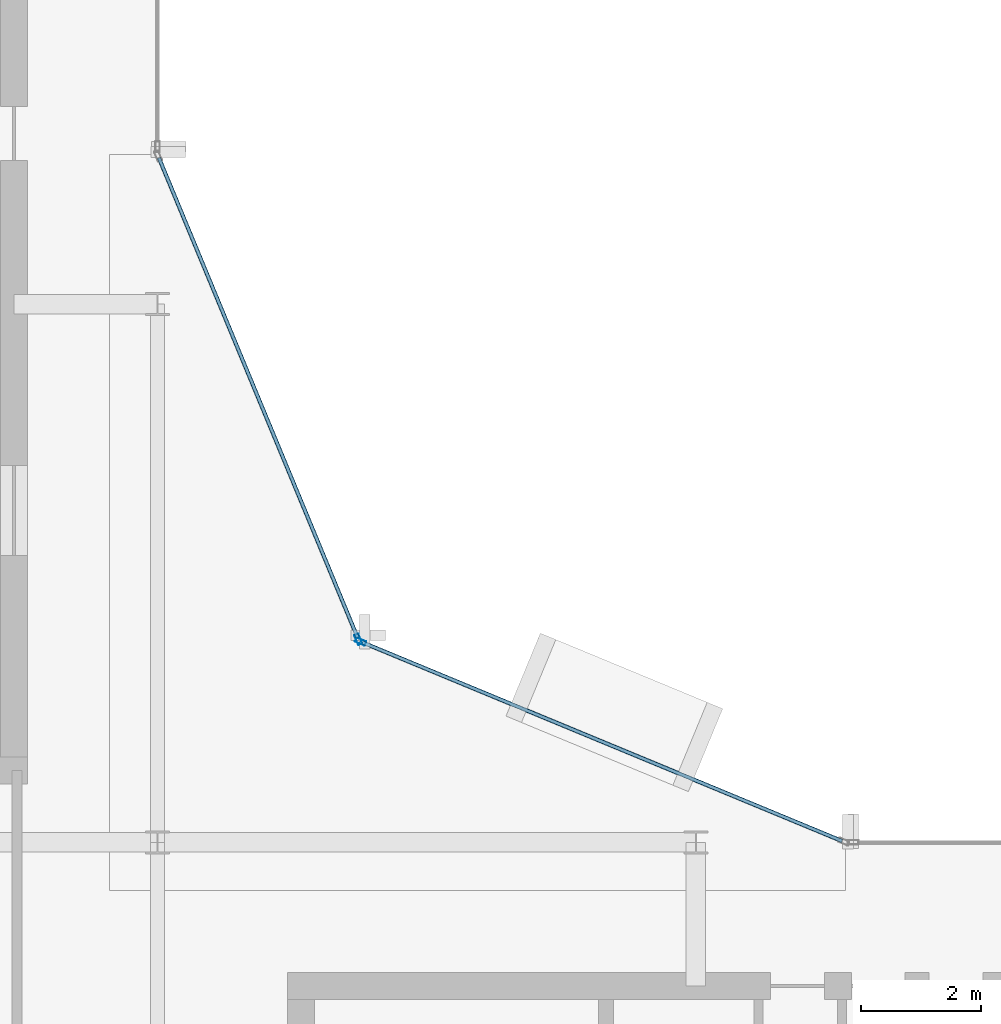
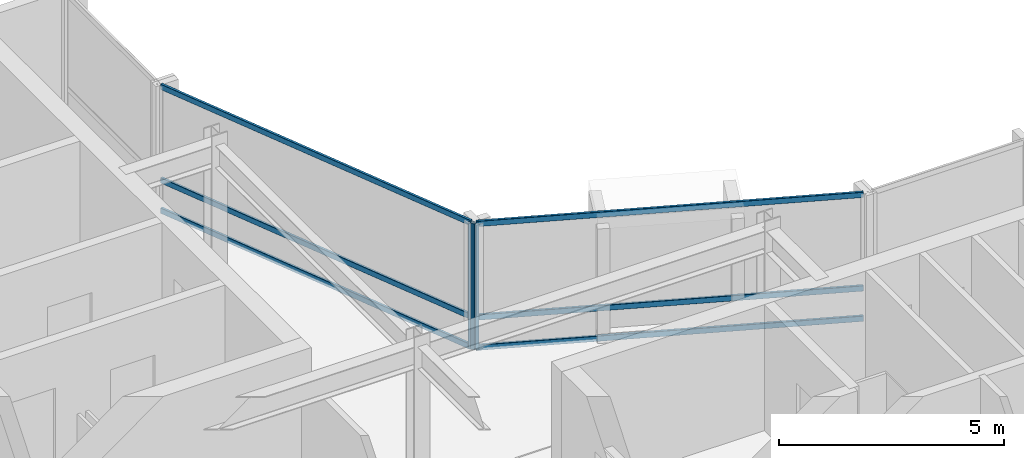
# One storey, part 8 of 19: 8 members, 2 elements without a shape of their own.
"""IFC4 building model written with IfcOpenShell, lengths in metres."""

import ifcopenshell
import ifcopenshell.guid

model = None  # the IFC model being written
_history = None  # IfcOwnerHistory: only IFC2X3 demands one
_inside = {}  # id of a spatial element -> (the spatial element, [elements in it])
_under = {}  # id of a project, library or spatial element -> (it, [spatial elements below it])
_declared = {}  # id of a project -> (the project, [libraries it declares])
_typed = {}  # id of a type object -> (the type object, [elements of that type])
_made_of = {}  # id of a material, layer set ... -> (it, [elements and type objects made of it])


def new_model(schema):
    """Start an empty IFC model of exactly this schema.

    Asked for "IFC4X3", IfcOpenShell would pick the latest addendum, in which some entities
    have other attributes; the version numbers below select the first issue.
    IFC2X3 requires an IfcOwnerHistory on every rooted entity: one is made here for all.
    """
    global model, _history
    if schema == "IFC4X3":
        model = ifcopenshell.file(schema_version=(4, 3, 0, 0))
    else:
        model = ifcopenshell.file(schema=schema)
    _inside.clear()
    _under.clear()
    _declared.clear()
    _typed.clear()
    _made_of.clear()
    _history = None
    if model.schema == "IFC2X3":
        org = make("IfcOrganization", Name="unknown")
        user = make(
            "IfcPersonAndOrganization",
            ThePerson=make("IfcPerson", FamilyName="unknown"),
            TheOrganization=org,
        )
        app = make(
            "IfcApplication",
            ApplicationDeveloper=org,
            Version="unknown",
            ApplicationFullName="unknown",
            ApplicationIdentifier="unknown",
        )
        _history = make(
            "IfcOwnerHistory",
            OwningUser=user,
            OwningApplication=app,
            ChangeAction="ADDED",
            CreationDate=0,
        )
    return model


def make(cls, **values):
    """One entity of the class cls with the attributes given. An attribute that is None is left unset."""
    return model.create_entity(
        cls, **{name: value for name, value in values.items() if value is not None}
    )


def rooted(cls, **values):
    """An entity with a GlobalId (a new one), such as an element, a storey or a relation."""
    return make(cls, GlobalId=ifcopenshell.guid.new(), OwnerHistory=_history, **values)


def si_unit(unit_type, name, prefix=None):
    """IfcSIUnit, for example si_unit("LENGTHUNIT", "METRE", prefix="MILLI")."""
    return make("IfcSIUnit", UnitType=unit_type, Prefix=prefix, Name=name)


def assignment(units):
    """IfcUnitAssignment: the units of a project."""
    return None if units is None else make("IfcUnitAssignment", Units=units)


def point(xyz):
    """IfcCartesianPoint."""
    return None if xyz is None else make("IfcCartesianPoint", Coordinates=xyz)


def direction(xyz):
    """IfcDirection."""
    return None if xyz is None else make("IfcDirection", DirectionRatios=xyz)


def frame(location, z_axis=None, x_axis=None):
    """IfcAxis2Placement3D, a coordinate frame: its origin and axes. An axis left out is left unset."""
    return make(
        "IfcAxis2Placement3D",
        Location=point(location),
        Axis=direction(z_axis),
        RefDirection=direction(x_axis),
    )


def frame_2d(location, x_axis=None):
    """IfcAxis2Placement2D, a coordinate frame in the plane: its origin and x axis."""
    return make(
        "IfcAxis2Placement2D", Location=point(location), RefDirection=direction(x_axis)
    )


def origin():
    """The frame at (0, 0, 0) with its axes left unset."""
    return frame((0.0, 0.0, 0.0))


def origin_2d():
    """The frame at (0, 0) in the plane with its x axis left unset."""
    return frame_2d((0.0, 0.0))


def place(relative_to, where):
    """IfcLocalPlacement: puts the frame where relative to a parent placement (None: the world)."""
    return make(
        "IfcLocalPlacement", PlacementRelTo=relative_to, RelativePlacement=where
    )


def context(
    kind, dimensions, precision=None, world=None, true_north=None, identifier=None
):
    """IfcGeometricRepresentationContext, for example the 3D "Model" context."""
    return make(
        "IfcGeometricRepresentationContext",
        ContextIdentifier=identifier,
        ContextType=kind,
        CoordinateSpaceDimension=dimensions,
        Precision=precision,
        WorldCoordinateSystem=world,
        TrueNorth=true_north,
    )


def subcontext(parent, identifier, kind, view, scale=None):
    """IfcGeometricRepresentationSubContext, for example "Body" below "Model"."""
    return make(
        "IfcGeometricRepresentationSubContext",
        ContextIdentifier=identifier,
        ContextType=kind,
        ParentContext=parent,
        TargetScale=scale,
        TargetView=view,
    )


def project(units=None, contexts=None):
    """IfcProject with its units and contexts."""
    return rooted(
        "IfcProject",
        Name="project",
        RepresentationContexts=contexts,
        UnitsInContext=assignment(units),
    )


def spatial(cls, under=None, at=None, **own):
    """A site, building, storey or space (cls), placed at a placement, below another one or the project."""
    s = rooted(cls, ObjectPlacement=at, **own)
    if under is not None:
        _under.setdefault(under.id(), (under, []))[1].append(s)
    return s


def profile(cls, at=None, kind="AREA", **sizes):
    """A parametric profile (cls). Its sizes go by their IFC names, for example OverallWidth=200.0."""
    return make(cls, ProfileType=kind, Position=at, **sizes)


def hollow_rectangle(**sizes):
    """IfcRectangleHollowProfileDef."""
    return profile("IfcRectangleHollowProfileDef", **sizes)


def extrude(swept, where, along, depth):
    """IfcExtrudedAreaSolid: the profile swept, set in the frame where, extruded along a direction by depth."""
    return make(
        "IfcExtrudedAreaSolid",
        SweptArea=swept,
        Position=where,
        ExtrudedDirection=direction(along),
        Depth=depth,
    )


def shape(context_of_items, identifier, shape_type, items):
    """IfcShapeRepresentation: the items that make up one representation, for example the "Body"."""
    return make(
        "IfcShapeRepresentation",
        ContextOfItems=context_of_items,
        RepresentationIdentifier=identifier,
        RepresentationType=shape_type,
        Items=items,
    )


def material(Name=None, Category=None):
    """IfcMaterial."""
    return make("IfcMaterial", Name=Name, Category=Category)


def layer(
    of_material, thickness, ventilated=None, Name=None, Category=None, Priority=None
):
    """IfcMaterialLayer: one layer of a wall or slab, of a material (None: an air gap)."""
    return make(
        "IfcMaterialLayer",
        Material=of_material,
        LayerThickness=thickness,
        IsVentilated=ventilated,
        Name=Name,
        Category=Category,
        Priority=Priority,
    )


def layer_set(layers, Name=None):
    """IfcMaterialLayerSet."""
    return make("IfcMaterialLayerSet", MaterialLayers=layers, LayerSetName=Name)


def material_profile(
    of_material, cross_section, Name=None, Category=None, Priority=None
):
    """IfcMaterialProfile: a cross section and its material."""
    return make(
        "IfcMaterialProfile",
        Name=Name,
        Material=of_material,
        Profile=cross_section,
        Priority=Priority,
        Category=Category,
    )


def profile_set(profiles, Name=None, composite=None):
    """IfcMaterialProfileSet."""
    return make(
        "IfcMaterialProfileSet",
        Name=Name,
        MaterialProfiles=profiles,
        CompositeProfile=composite,
    )


def made_of(thing, what):
    """Note that an element or type object is made of a material, layer set ...; save() writes the relation."""
    if what is not None:
        _made_of.setdefault(what.id(), (what, []))[1].append(thing)
    return thing


def type_object(cls, material=None, **own):
    """A type object (cls), such as IfcWallType, which elements share."""
    return made_of(rooted(cls, **own), material)


def element(
    cls,
    number,
    at=None,
    inside=None,
    cuts=None,
    type_object=None,
    material=None,
    context=None,
    identifier="Body",
    shape_type=None,
    held_by="IfcProductDefinitionShape",
    body=None,
    shapes=None,
    **own,
):
    """One element of the class cls, such as IfcWall. Its Tag is "e" and its number.

    at: its placement. inside: the storey or other place that contains it. cuts: it is an
    opening in that element (IfcRelVoidsElement). A single representation is given by context,
    identifier, shape_type and body (its items); several are given by shapes. held_by: the class
    of the entity that holds the representations. save() writes the other relations.
    """
    e = rooted(cls, Tag="e%d" % number, ObjectPlacement=at, **own)
    if body is not None:
        shapes = [shape(context, identifier, shape_type, body)]
    if shapes is not None:
        e.Representation = make(held_by, Representations=shapes)
    if inside is not None:
        _inside.setdefault(inside.id(), (inside, []))[1].append(e)
    if cuts is not None:
        rooted(
            "IfcRelVoidsElement", RelatingBuildingElement=cuts, RelatedOpeningElement=e
        )
    if type_object is not None:
        _typed.setdefault(type_object.id(), (type_object, []))[1].append(e)
    return made_of(e, material)


def aggregate(whole, parts):
    """IfcRelAggregates: a whole, such as a stair, and the parts it consists of."""
    return rooted("IfcRelAggregates", RelatingObject=whole, RelatedObjects=parts)


def save(model, path):
    """Write the relations noted so far, then the file.

    IfcRelAggregates (storeys below a building ...), IfcRelContainedInSpatialStructure (elements
    in a storey), IfcRelDefinesByType, IfcRelAssociatesMaterial and IfcRelDeclares: one each for
    every whole, place, type object, material and project.
    """
    for whole, parts in _under.values():
        aggregate(whole, parts)
    for where, things in _inside.values():
        rooted(
            "IfcRelContainedInSpatialStructure",
            RelatedElements=things,
            RelatingStructure=where,
        )
    for kind, things in _typed.values():
        rooted("IfcRelDefinesByType", RelatedObjects=things, RelatingType=kind)
    for what, things in _made_of.values():
        rooted("IfcRelAssociatesMaterial", RelatedObjects=things, RelatingMaterial=what)
    for by, libraries in _declared.values():
        rooted("IfcRelDeclares", RelatingContext=by, RelatedDefinitions=libraries)
    model.write(path)


model = new_model("IFC4")

# Units and contexts
model_context = context("Model", 3, precision=1e-05, world=origin(), true_north=direction((0.0, 1.0)))
body_context = subcontext(model_context, "Body", "Model", "MODEL_VIEW")
ifc_project = project(units=[si_unit("LENGTHUNIT", "METRE"), si_unit("AREAUNIT", "SQUARE_METRE"), si_unit("VOLUMEUNIT", "CUBIC_METRE"), si_unit("PLANEANGLEUNIT", "RADIAN"), si_unit("MASSUNIT", "GRAM", prefix="KILO")], contexts=[model_context])

# Site, building, storey
site_placement = place(None, origin())
site = spatial("IfcSite", under=ifc_project, at=site_placement, CompositionType="ELEMENT")
building_placement = place(site_placement, origin())
building = spatial("IfcBuilding", under=site, at=building_placement, Name="Solvaryn Broadcast Tower", CompositionType="ELEMENT")
storey_placement = place(building_placement, frame((0.0, 0.0, 255.60009765625)))
storey = spatial("IfcBuildingStorey", under=building, at=storey_placement, Name="L64", CompositionType="ELEMENT", Elevation=255.60009765625)

# Curtain wall, member
ifc_material_1 = material(Name="Aluminium and Terracotta Unitised Curtain Wall", Category="masonry")
ifc_layer = layer(ifc_material_1, 0.199951171875)
ifc_layer_set = layer_set([ifc_layer], Name="CW-SYS2-LOWMID")
curtain_wall_type = type_object("IfcCurtainWallType", Name="CW-SYS2-LOWMID", PredefinedType="NOTDEFINED", material=ifc_layer_set)
curtain_wall_1_placement = place(storey_placement, origin())
curtain_wall_1 = element("IfcCurtainWall", 1, at=curtain_wall_1_placement, inside=storey, type_object=curtain_wall_type, Name="L64 Curtain Wall CN1", PredefinedType="NOTDEFINED")
ifc_material_2 = material(Name="Anodised Aluminium 6063-T6", Category="aluminium")
ifc_material_profile_1 = material_profile(ifc_material_2, hollow_rectangle(XDim=0.074951171875, YDim=0.179931640625, WallThickness=0.00390625, InnerFilletRadius=0.00390625, OuterFilletRadius=0.008056640625, at=origin_2d()))
ifc_profile_set_1 = profile_set([ifc_material_profile_1], Name="Anodised Aluminium 6063-T6")
member_type_1 = type_object("IfcMemberType", Name="CW-MUL-180", PredefinedType="MULLION", material=ifc_profile_set_1)
member_1_placement = place(storey_placement, frame((30.395751953125, 30.3564453125, 0.0), z_axis=(0.0, 0.0, 1.0), x_axis=(-0.382646127145, -0.923894983957, 0.0)))
member_1 = element("IfcMember", 2, at=member_1_placement, type_object=member_type_1, Name="CWS2 mullion 2", PredefinedType="MULLION", context=body_context, shape_type="SweptSolid", body=[
    extrude(hollow_rectangle(XDim=0.074951171875, YDim=0.179931640625, WallThickness=0.00390625, InnerFilletRadius=0.00390625, OuterFilletRadius=0.008056640625, at=origin_2d()), origin(), (0.0, 0.0, 1.0), 3.419921875),
])

curtain_wall_2_placement = place(storey_placement, origin())
curtain_wall_2 = element("IfcCurtainWall", 3, at=curtain_wall_2_placement, inside=storey, type_object=curtain_wall_type, Name="L64 Curtain Wall CN2", PredefinedType="NOTDEFINED")
member_2_placement = place(storey_placement, frame((30.3564453125, 30.395751953125, 0.0), z_axis=(0.0, 0.0, 1.0), x_axis=(-0.923894983957, -0.382646127145, 0.0)))
member_2 = element("IfcMember", 4, at=member_2_placement, type_object=member_type_1, Name="CWS2 mullion 1", PredefinedType="MULLION", context=body_context, shape_type="SweptSolid", body=[
    extrude(hollow_rectangle(XDim=0.074951171875, YDim=0.179931640625, WallThickness=0.00390625, InnerFilletRadius=0.00390625, OuterFilletRadius=0.008056640625, at=origin_2d()), origin(), (0.0, 0.0, 1.0), 3.419921875),
])

# Member
ifc_material_3 = material(Name="Anodised Aluminium 6063-T6", Category="aluminium")
ifc_material_profile_2 = material_profile(ifc_material_3, hollow_rectangle(XDim=0.06494140625, YDim=0.14990234375, WallThickness=0.00390625, InnerFilletRadius=0.00390625, OuterFilletRadius=0.008056640625, at=origin_2d()))
ifc_profile_set_2 = profile_set([ifc_material_profile_2], Name="Anodised Aluminium 6063-T6")
member_type_2 = type_object("IfcMemberType", Name="CW-TRN-150", PredefinedType="USERDEFINED", material=ifc_profile_set_2)
member_3_placement = place(storey_placement, frame((38.444580078125, 27.02294921875, 0.02978515625), z_axis=(-0.923899282177, 0.382635748975, 0.0), x_axis=(-0.382635748975, -0.923899282177, 0.0)))
member_3 = element("IfcMember", 5, at=member_3_placement, type_object=member_type_2, Name="CWS2 transom 1.1", ObjectType="TRANSOM", PredefinedType="USERDEFINED", context=body_context, shape_type="SweptSolid", body=[
    extrude(hollow_rectangle(XDim=0.06494140625, YDim=0.14990234375, WallThickness=0.00390625, InnerFilletRadius=0.00390625, OuterFilletRadius=0.008056640625, at=origin_2d()), origin(), (0.0, 0.0, 1.0), 8.681884765625),
])

member_4_placement = place(storey_placement, frame((38.444580078125, 27.02294921875, 0.849853515625), z_axis=(-0.923899282177, 0.382635748975, 0.0), x_axis=(-0.382635748975, -0.923899282177, 0.0)))
member_4 = element("IfcMember", 6, at=member_4_placement, type_object=member_type_2, Name="CWS2 transom 1.2", ObjectType="TRANSOM", PredefinedType="USERDEFINED", context=body_context, shape_type="SweptSolid", body=[
    extrude(hollow_rectangle(XDim=0.06494140625, YDim=0.14990234375, WallThickness=0.00390625, InnerFilletRadius=0.00390625, OuterFilletRadius=0.008056640625, at=origin_2d()), origin(), (0.0, 0.0, 1.0), 8.681884765625),
])

member_5_placement = place(storey_placement, frame((38.444580078125, 27.02294921875, 3.389892578125), z_axis=(-0.923899282177, 0.382635748975, 0.0), x_axis=(-0.382635748975, -0.923899282177, 0.0)))
member_5 = element("IfcMember", 7, at=member_5_placement, type_object=member_type_2, Name="CWS2 transom 1.3", ObjectType="TRANSOM", PredefinedType="USERDEFINED", context=body_context, shape_type="SweptSolid", body=[
    extrude(hollow_rectangle(XDim=0.06494140625, YDim=0.14990234375, WallThickness=0.00390625, InnerFilletRadius=0.00390625, OuterFilletRadius=0.008056640625, at=origin_2d()), origin(), (0.0, 0.0, 1.0), 8.681884765625),
])

aggregate(curtain_wall_1, [member_1, member_3, member_4, member_5])

member_6_placement = place(storey_placement, frame((30.344970703125, 30.42333984375, 0.02978515625), z_axis=(-0.382635748975, 0.923899282177, 0.0), x_axis=(-0.923899282177, -0.382635748975, 0.0)))
member_6 = element("IfcMember", 8, at=member_6_placement, type_object=member_type_2, Name="CWS2 transom 1.1", ObjectType="TRANSOM", PredefinedType="USERDEFINED", context=body_context, shape_type="SweptSolid", body=[
    extrude(hollow_rectangle(XDim=0.06494140625, YDim=0.14990234375, WallThickness=0.00390625, InnerFilletRadius=0.00390625, OuterFilletRadius=0.008056640625, at=origin_2d()), origin(), (0.0, 0.0, 1.0), 8.681884765625),
])

member_7_placement = place(storey_placement, frame((30.344970703125, 30.42333984375, 0.849853515625), z_axis=(-0.382635748975, 0.923899282177, 0.0), x_axis=(-0.923899282177, -0.382635748975, 0.0)))
member_7 = element("IfcMember", 9, at=member_7_placement, type_object=member_type_2, Name="CWS2 transom 1.2", ObjectType="TRANSOM", PredefinedType="USERDEFINED", context=body_context, shape_type="SweptSolid", body=[
    extrude(hollow_rectangle(XDim=0.06494140625, YDim=0.14990234375, WallThickness=0.00390625, InnerFilletRadius=0.00390625, OuterFilletRadius=0.008056640625, at=origin_2d()), origin(), (0.0, 0.0, 1.0), 8.681884765625),
])

member_8_placement = place(storey_placement, frame((30.344970703125, 30.42333984375, 3.389892578125), z_axis=(-0.382635748975, 0.923899282177, 0.0), x_axis=(-0.923899282177, -0.382635748975, 0.0)))
member_8 = element("IfcMember", 10, at=member_8_placement, type_object=member_type_2, Name="CWS2 transom 1.3", ObjectType="TRANSOM", PredefinedType="USERDEFINED", context=body_context, shape_type="SweptSolid", body=[
    extrude(hollow_rectangle(XDim=0.06494140625, YDim=0.14990234375, WallThickness=0.00390625, InnerFilletRadius=0.00390625, OuterFilletRadius=0.008056640625, at=origin_2d()), origin(), (0.0, 0.0, 1.0), 8.681884765625),
])

aggregate(curtain_wall_2, [member_2, member_6, member_7, member_8])

save(model, "model.ifc")
